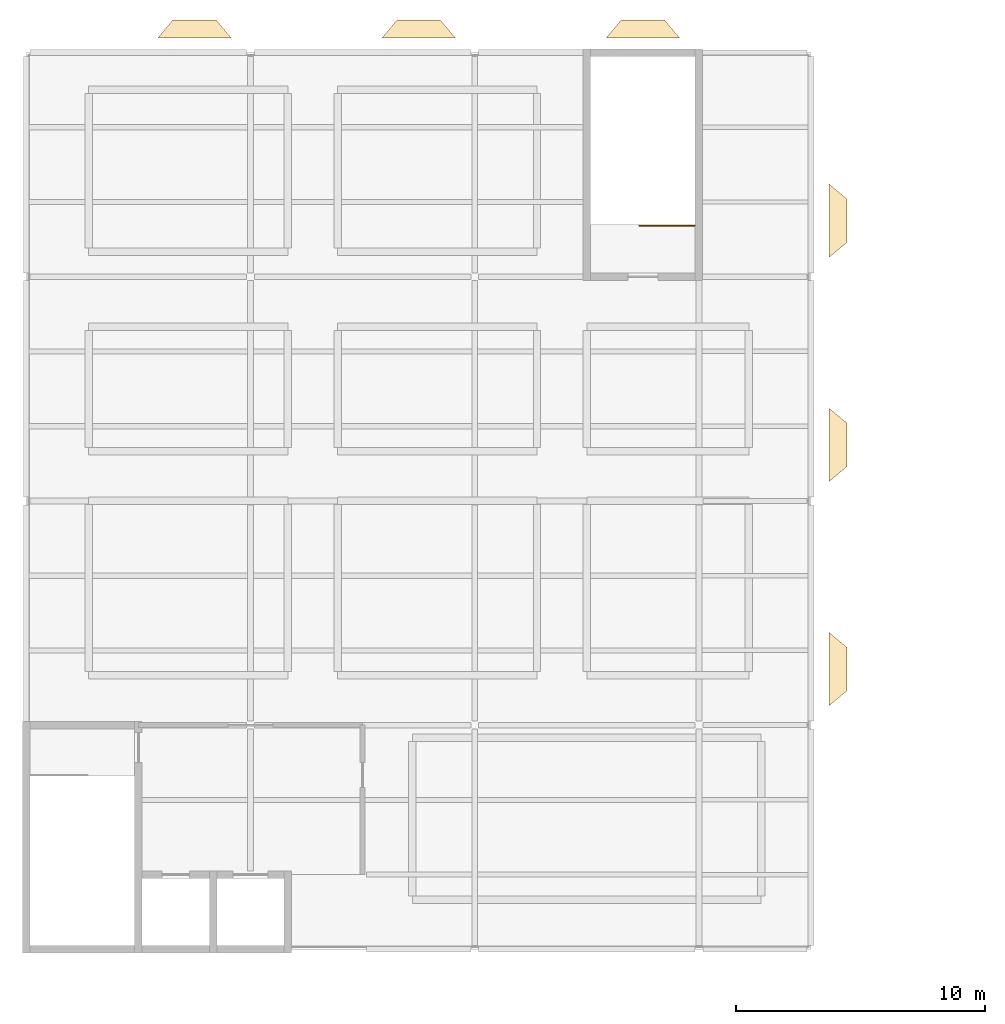
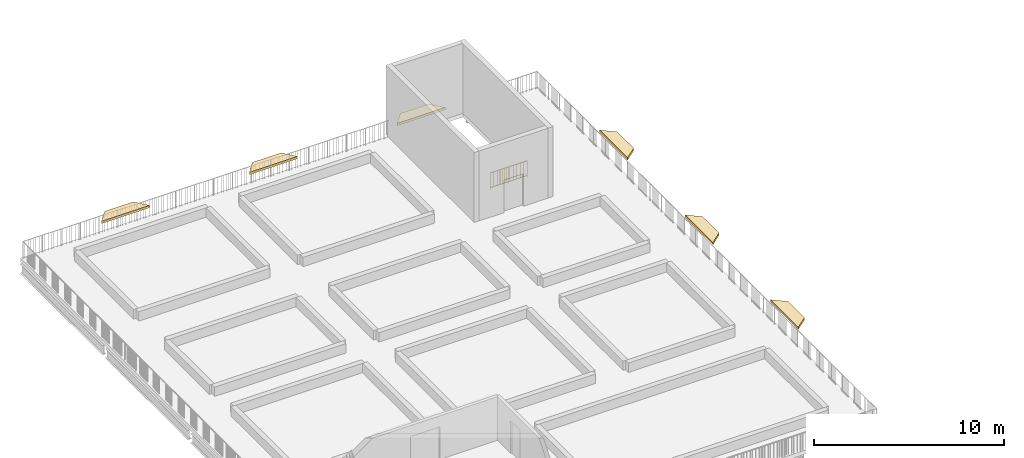
# One storey, part 33 of 33: 6 coverings, 1 railing.
"""IFC4 building model written with IfcOpenShell, lengths in metres."""

from ifc_helpers import new_model, si_unit, direction, frame, origin, origin_2d, place, context, subcontext, project, spatial, polyline, circle, outline, extrude, material, layer, layer_set, type_object, element, save


model = new_model("IFC4")

# Units and contexts
model_context = context("Model", 3, precision=1e-05, world=origin(), true_north=direction((0.0, 1.0)))
body_context = subcontext(model_context, "Body", "Model", "MODEL_VIEW")
ifc_project = project(units=[si_unit("LENGTHUNIT", "METRE"), si_unit("AREAUNIT", "SQUARE_METRE"), si_unit("VOLUMEUNIT", "CUBIC_METRE"), si_unit("PLANEANGLEUNIT", "RADIAN"), si_unit("MASSUNIT", "GRAM", prefix="KILO")], contexts=[model_context])

# Site, building, storey
site_placement = place(None, origin())
site = spatial("IfcSite", under=ifc_project, at=site_placement, CompositionType="ELEMENT")
building_placement = place(site_placement, origin())
building = spatial("IfcBuilding", under=site, at=building_placement, Name="Hortulan Conservatory and Botanical Research Centre", CompositionType="ELEMENT")
storey_placement = place(building_placement, frame((0.0, 0.0, 19.199951171875)))
storey = spatial("IfcBuildingStorey", under=building, at=storey_placement, Name="L04", CompositionType="ELEMENT", Elevation=19.199951171875)

# Railing
ifc_material_1 = material(Name="Steel balustrade, bronze-charcoal paint", Category="steel")
railing_type = type_object("IfcRailingType", Name="Stair Guard 1100", PredefinedType="GUARDRAIL", material=ifc_material_1)
railing_placement = place(storey_placement, frame((26.85009765625, 65.050048828125, 0.0)))
element("IfcRailing", 1, at=railing_placement, inside=storey, type_object=railing_type, Name="Guard V2 L04 stair well 1", PredefinedType="GUARDRAIL", context=body_context, shape_type="SweptSolid", body=[
    extrude(circle(Radius=0.02392578125, at=origin_2d()), frame((0.0, 0.0, 1.076171875), z_axis=(-1.0, 0.0, 0.0), x_axis=(0.0, -1.0, 0.0)), (0.0, 0.0, 1.0), 2.25),
    extrude(circle(Radius=0.02392578125, at=origin_2d()), frame((0.0, 0.0, 0.1240234375), z_axis=(-1.0, 0.0, 0.0), x_axis=(0.0, -1.0, 0.0)), (0.0, 0.0, 1.0), 2.25),
    extrude(circle(Radius=0.008056640625, at=origin_2d()), frame((-0.107177734375, 0.0, 0.148193359375)), (0.0, 0.0, 1.0), 0.90380859375),
    extrude(circle(Radius=0.008056640625, at=origin_2d()), frame((-0.21435546875, 0.0, 0.148193359375)), (0.0, 0.0, 1.0), 0.90380859375),
    extrude(circle(Radius=0.008056640625, at=origin_2d()), frame((-0.321533203125, 0.0, 0.148193359375)), (0.0, 0.0, 1.0), 0.90380859375),
    extrude(circle(Radius=0.008056640625, at=origin_2d()), frame((-0.428466796875, 0.0, 0.148193359375)), (0.0, 0.0, 1.0), 0.90380859375),
    extrude(circle(Radius=0.008056640625, at=origin_2d()), frame((-0.53564453125, 0.0, 0.148193359375)), (0.0, 0.0, 1.0), 0.90380859375),
    extrude(circle(Radius=0.008056640625, at=origin_2d()), frame((-0.642822265625, 0.0, 0.148193359375)), (0.0, 0.0, 1.0), 0.90380859375),
    extrude(circle(Radius=0.008056640625, at=origin_2d()), frame((-0.75, 0.0, 0.148193359375)), (0.0, 0.0, 1.0), 0.90380859375),
    extrude(circle(Radius=0.008056640625, at=origin_2d()), frame((-0.857177734375, 0.0, 0.148193359375)), (0.0, 0.0, 1.0), 0.90380859375),
    extrude(circle(Radius=0.008056640625, at=origin_2d()), frame((-0.96435546875, 0.0, 0.148193359375)), (0.0, 0.0, 1.0), 0.90380859375),
    extrude(circle(Radius=0.008056640625, at=origin_2d()), frame((-1.071533203125, 0.0, 0.148193359375)), (0.0, 0.0, 1.0), 0.90380859375),
    extrude(circle(Radius=0.008056640625, at=origin_2d()), frame((-1.178466796875, 0.0, 0.148193359375)), (0.0, 0.0, 1.0), 0.90380859375),
    extrude(circle(Radius=0.008056640625, at=origin_2d()), frame((-1.28564453125, 0.0, 0.148193359375)), (0.0, 0.0, 1.0), 0.90380859375),
    extrude(circle(Radius=0.008056640625, at=origin_2d()), frame((-1.392822265625, 0.0, 0.148193359375)), (0.0, 0.0, 1.0), 0.90380859375),
    extrude(circle(Radius=0.008056640625, at=origin_2d()), frame((-1.5, 0.0, 0.148193359375)), (0.0, 0.0, 1.0), 0.90380859375),
    extrude(circle(Radius=0.008056640625, at=origin_2d()), frame((-1.607177734375, 0.0, 0.148193359375)), (0.0, 0.0, 1.0), 0.90380859375),
    extrude(circle(Radius=0.008056640625, at=origin_2d()), frame((-1.71435546875, 0.0, 0.148193359375)), (0.0, 0.0, 1.0), 0.90380859375),
    extrude(circle(Radius=0.008056640625, at=origin_2d()), frame((-1.821533203125, 0.0, 0.148193359375)), (0.0, 0.0, 1.0), 0.90380859375),
    extrude(circle(Radius=0.008056640625, at=origin_2d()), frame((-1.928466796875, 0.0, 0.148193359375)), (0.0, 0.0, 1.0), 0.90380859375),
    extrude(circle(Radius=0.008056640625, at=origin_2d()), frame((-2.03564453125, 0.0, 0.148193359375)), (0.0, 0.0, 1.0), 0.90380859375),
    extrude(circle(Radius=0.008056640625, at=origin_2d()), frame((-2.142822265625, 0.0, 0.148193359375)), (0.0, 0.0, 1.0), 0.90380859375),
    extrude(circle(Radius=0.02099609375, at=origin_2d()), origin(), (0.0, 0.0, 1.0), 1.052001953125),
    extrude(circle(Radius=0.02099609375, at=origin_2d()), frame((-1.125, 0.0, 0.0)), (0.0, 0.0, 1.0), 1.052001953125),
    extrude(circle(Radius=0.02099609375, at=origin_2d()), frame((-2.25, 0.0, 0.0)), (0.0, 0.0, 1.0), 1.052001953125),
])

# Coverings
ifc_material_2 = material(Name="Verdigris copper-green zinc cladding on lightweight framing", Category="metal")
ifc_layer = layer(ifc_material_2, 0.14990234375)
ifc_layer_set = layer_set([ifc_layer], Name="Verdigris Oriel Roof 150")
covering_type = type_object("IfcCoveringType", Name="Verdigris Oriel Roof 150", PredefinedType="CLADDING", material=ifc_layer_set)
covering_1_placement = place(storey_placement, origin())
element("IfcCovering", 2, at=covering_1_placement, inside=storey, type_object=covering_type, Name="Oriel roof", PredefinedType="CLADDING", context=body_context, shape_type="SweptSolid", body=[
    extrude(outline(polyline([(5.280029296875, 72.58544921875), (5.8798828125, 73.305419921875), (7.6201171875, 73.305419921875), (8.219970703125, 72.58544921875), (5.280029296875, 72.58544921875)])), origin(), (0.0, 0.0, 1.0), 0.150146484375),
])
covering_2_placement = place(storey_placement, origin())
element("IfcCovering", 3, at=covering_2_placement, inside=storey, type_object=covering_type, Name="Oriel roof", PredefinedType="CLADDING", context=body_context, shape_type="SweptSolid", body=[
    extrude(outline(polyline([(14.280029296875, 72.58544921875), (14.8798828125, 73.305419921875), (16.6201171875, 73.305419921875), (17.219970703125, 72.58544921875), (14.280029296875, 72.58544921875)])), origin(), (0.0, 0.0, 1.0), 0.150146484375),
])
covering_3_placement = place(storey_placement, origin())
element("IfcCovering", 4, at=covering_3_placement, inside=storey, type_object=covering_type, Name="Oriel roof", PredefinedType="CLADDING", context=body_context, shape_type="SweptSolid", body=[
    extrude(outline(polyline([(23.280029296875, 72.58544921875), (23.8798828125, 73.305419921875), (25.6201171875, 73.305419921875), (26.219970703125, 72.58544921875), (23.280029296875, 72.58544921875)])), origin(), (0.0, 0.0, 1.0), 0.150146484375),
])
covering_4_placement = place(storey_placement, origin())
element("IfcCovering", 5, at=covering_4_placement, inside=storey, type_object=covering_type, Name="Oriel roof", PredefinedType="CLADDING", context=body_context, shape_type="SweptSolid", body=[
    extrude(outline(polyline([(32.22509765625, 48.719970703125), (32.945068359375, 48.1201171875), (32.945068359375, 46.3798828125), (32.22509765625, 45.780029296875), (32.22509765625, 48.719970703125)])), origin(), (0.0, 0.0, 1.0), 0.150146484375),
])
covering_5_placement = place(storey_placement, origin())
element("IfcCovering", 6, at=covering_5_placement, inside=storey, type_object=covering_type, Name="Oriel roof", PredefinedType="CLADDING", context=body_context, shape_type="SweptSolid", body=[
    extrude(outline(polyline([(32.22509765625, 57.719970703125), (32.945068359375, 57.1201171875), (32.945068359375, 55.3798828125), (32.22509765625, 54.780029296875), (32.22509765625, 57.719970703125)])), origin(), (0.0, 0.0, 1.0), 0.150146484375),
])
covering_6_placement = place(storey_placement, origin())
element("IfcCovering", 7, at=covering_6_placement, inside=storey, type_object=covering_type, Name="Oriel roof", PredefinedType="CLADDING", context=body_context, shape_type="SweptSolid", body=[
    extrude(outline(polyline([(32.22509765625, 66.719970703125), (32.945068359375, 66.1201171875), (32.945068359375, 64.3798828125), (32.22509765625, 63.780029296875), (32.22509765625, 66.719970703125)])), origin(), (0.0, 0.0, 1.0), 0.150146484375),
])

save(model, "model.ifc")
